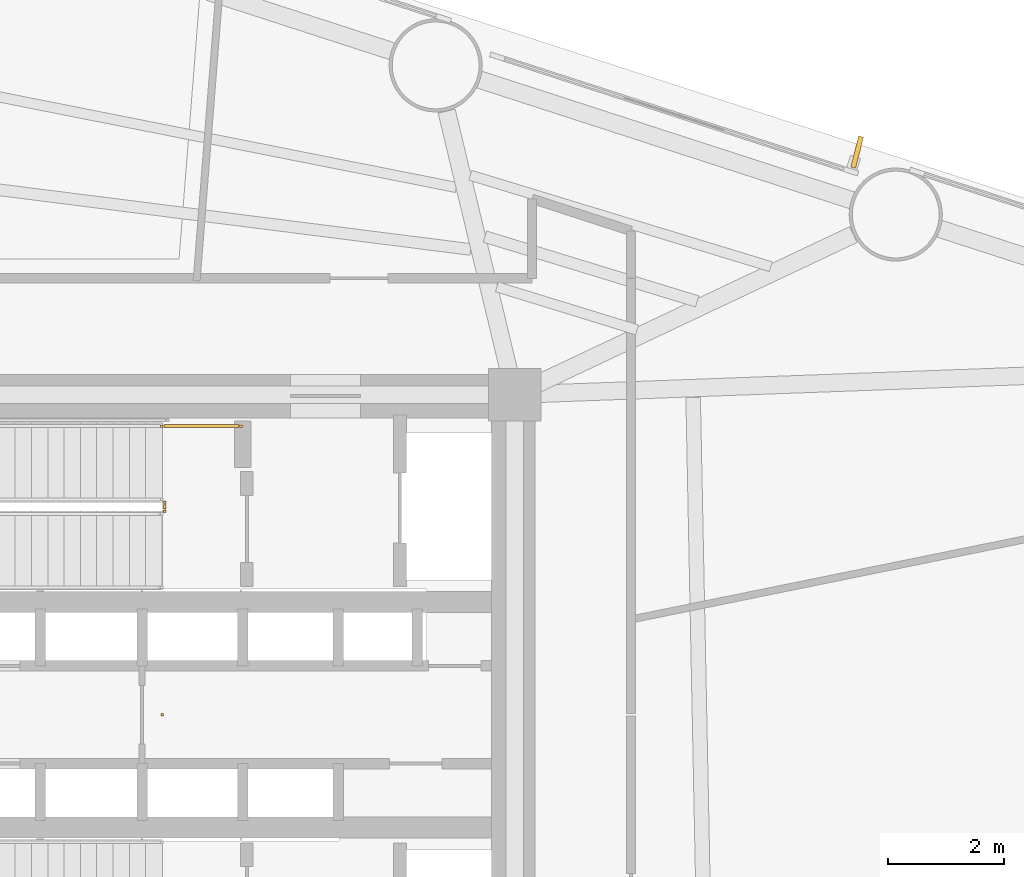
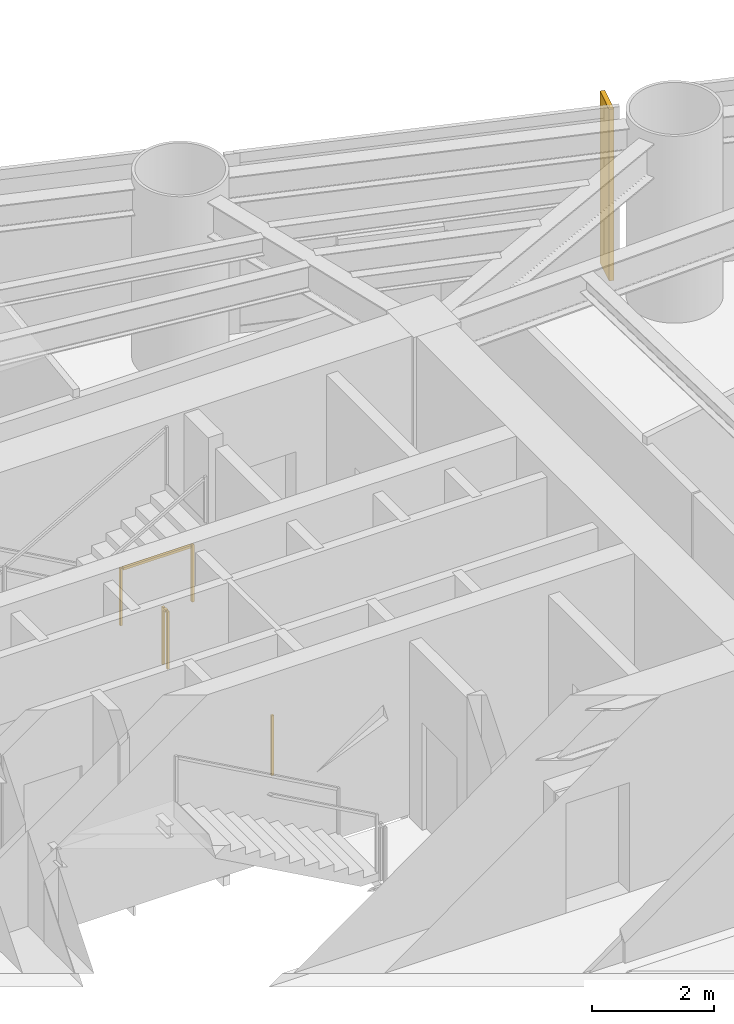
# One storey, part 10 of 11: 3 railings, 1 shading device.
"""IFC4 building model written with IfcOpenShell, lengths in metres."""

from ifc_helpers import new_model, si_unit, direction, frame, origin, origin_2d, place, context, subcontext, project, spatial, rectangle, extrude, source, transform, mapped, material, material_profile, profile_set, type_object, element, save


model = new_model("IFC4")

# Units and contexts
model_context = context("Model", 3, precision=1e-05, world=origin(), true_north=direction((0.0, 1.0)))
body_context = subcontext(model_context, "Body", "Model", "MODEL_VIEW")
ifc_project = project(units=[si_unit("LENGTHUNIT", "METRE"), si_unit("AREAUNIT", "SQUARE_METRE"), si_unit("VOLUMEUNIT", "CUBIC_METRE"), si_unit("PLANEANGLEUNIT", "RADIAN"), si_unit("MASSUNIT", "GRAM", prefix="KILO")], contexts=[model_context])

# Site, building, storey
site_placement = place(None, origin())
site = spatial("IfcSite", under=ifc_project, at=site_placement, CompositionType="ELEMENT")
building_placement = place(site_placement, origin())
building = spatial("IfcBuilding", under=site, at=building_placement, Name="Yunling Apex Tower", CompositionType="ELEMENT")
storey_placement = place(building_placement, frame((0.0, 0.0, 54.800048828125)))
storey = spatial("IfcBuildingStorey", under=building, at=storey_placement, Name="L14", CompositionType="ELEMENT", Elevation=54.800048828125)

# Railings
ifc_material_1 = material(Name="Bronze anodised aluminium", Category="aluminium")
railing_type_1 = type_object("IfcRailingType", Name="RL-BAL-1200", PredefinedType="BALUSTRADE", material=ifc_material_1)
railing_1_placement = place(storey_placement, origin())
element("IfcRailing", 1, at=railing_1_placement, inside=storey, type_object=railing_type_1, Name="RL-TATR-L14", PredefinedType="BALUSTRADE", context=body_context, shape_type="SweptSolid", body=[
    extrude(rectangle(XDim=0.0439453125, YDim=0.0439453125, at=origin_2d()), origin(), (0.0, 0.0, 1.0), 1.199951171875),
])
ifc_material_2 = material(Name="Steel Q355B", Category="steel")
railing_type_2 = type_object("IfcRailingType", Name="RL-GRD-1150", PredefinedType="GUARDRAIL", material=ifc_material_2)
railing_2_placement = place(storey_placement, frame((0.0400390625, 3.64990234375, 0.0)))
element("IfcRailing", 2, at=railing_2_placement, inside=storey, type_object=railing_type_2, Name="L14 ST-1 stair guard 5", PredefinedType="GUARDRAIL", context=body_context, shape_type="SweptSolid", body=[
    extrude(rectangle(XDim=0.0439453125, YDim=0.0439453125, at=origin_2d()), origin(), (0.0, 0.0, 1.0), 1.14990234375),
    extrude(rectangle(XDim=0.0439453125, YDim=0.0439453125, at=origin_2d()), frame((0.0, -0.14990234375, 0.0)), (0.0, 0.0, 1.0), 1.14990234375),
    extrude(rectangle(XDim=0.050048828125, YDim=0.050048828125, at=origin_2d()), frame((0.0, -0.038330078125, 1.125), z_axis=(0.0, -1.0, 0.0), x_axis=(1.0, 0.0, 0.0)), (0.0, 0.0, 1.0), 0.0732421875),
])
railing_3_placement = place(storey_placement, frame((1.35009765625, 4.9599609375, 0.0)))
element("IfcRailing", 3, at=railing_3_placement, inside=storey, type_object=railing_type_2, Name="L14 ST-1 stair guard 6", PredefinedType="GUARDRAIL", context=body_context, shape_type="SweptSolid", body=[
    extrude(rectangle(XDim=0.0439453125, YDim=0.0439453125, at=origin_2d()), origin(), (0.0, 0.0, 1.0), 1.14990234375),
    extrude(rectangle(XDim=0.0439453125, YDim=0.0439453125, at=origin_2d()), frame((-1.360107421875, 0.0, 0.0)), (0.0, 0.0, 1.0), 1.14990234375),
    extrude(rectangle(XDim=0.050048828125, YDim=0.050048828125, at=origin_2d()), frame((-0.038330078125, 0.0, 1.125), z_axis=(-1.0, 0.0, 0.0), x_axis=(0.0, -1.0, 0.0)), (0.0, 0.0, 1.0), 1.283447265625),
])

# Shading device
ifc_material_profile = material_profile(ifc_material_1, rectangle(XDim=0.0849609375, YDim=0.550048828125, at=origin_2d()))
ifc_profile_set = profile_set([ifc_material_profile], Name="Bronze anodised aluminium")
shading_device_type = type_object("IfcShadingDeviceType", Name="FN-BRZ-3", PredefinedType="USERDEFINED", material=ifc_profile_set)
shared_shape = source(origin(), body_context, "Body", "SweptSolid", [
    extrude(rectangle(XDim=0.0849609375, YDim=0.550048828125, at=origin_2d()), origin(), (0.0, 0.0, 1.0), 3.445068359375),
])
shading_device_placement = place(storey_placement, frame((11.934814453125, 9.666748046875, 0.06005859375), z_axis=(0.0, 0.0, 1.0), x_axis=(-0.969402520914, 0.245476582274, 0.0)))
element("IfcShadingDevice", 4, at=shading_device_placement, inside=storey, type_object=shading_device_type, Name="CW-L14-F2-B2-FIN-01", ObjectType="FIN", PredefinedType="USERDEFINED", context=body_context, shape_type="MappedRepresentation", body=[
    mapped(shared_shape, transform((0.0, 0.0, 0.0), scale=1.0)),
])

save(model, "model.ifc")
